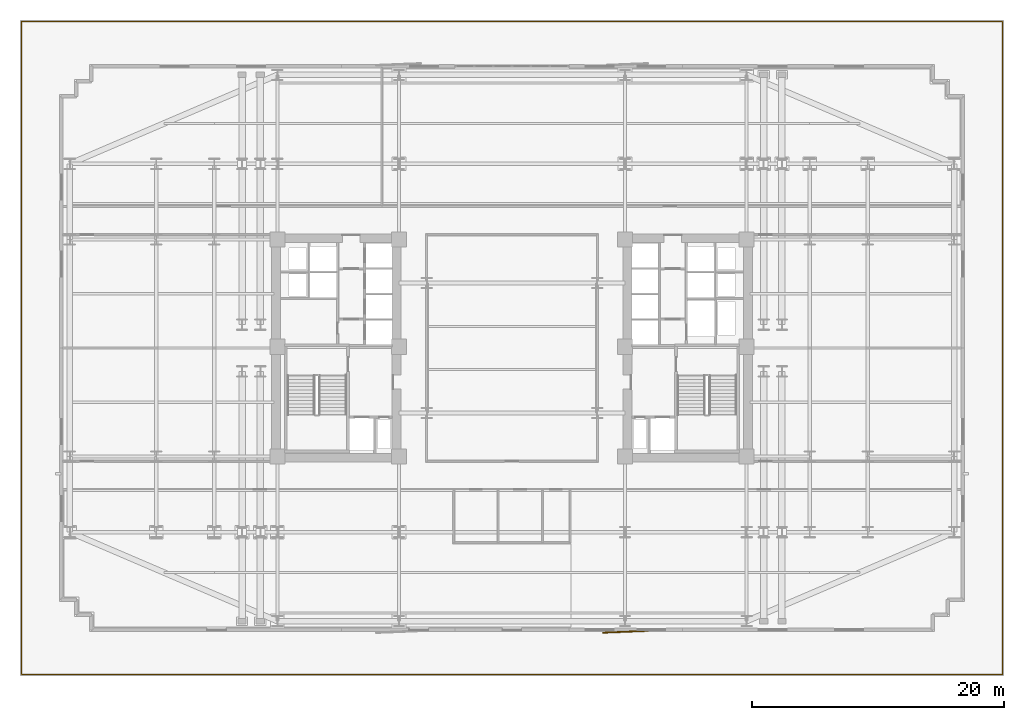
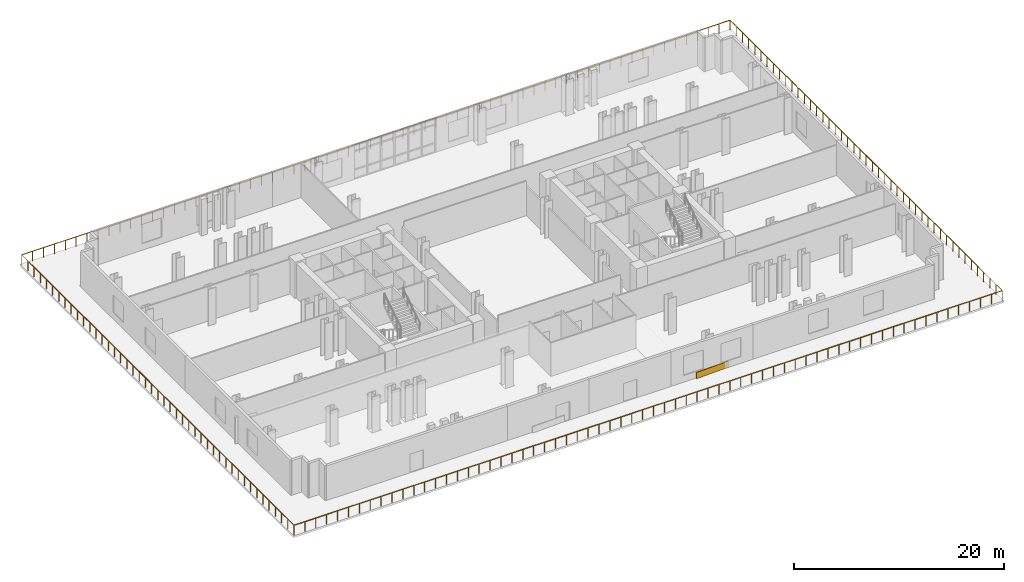
# One storey, part 12 of 14: 2 railings, 1 covering.
"""IFC4 building model written with IfcOpenShell, lengths in metres."""

from ifc_helpers import new_model, si_unit, direction, frame, origin, origin_2d, place, context, subcontext, project, spatial, rectangle, circle, extrude, material, layer, layer_set, type_object, element, save


model = new_model("IFC4")

# Units and contexts
model_context = context("Model", 3, precision=1e-05, world=origin(), true_north=direction((0.0, 1.0)))
body_context = subcontext(model_context, "Body", "Model", "MODEL_VIEW")
ifc_project = project(units=[si_unit("LENGTHUNIT", "METRE"), si_unit("AREAUNIT", "SQUARE_METRE"), si_unit("VOLUMEUNIT", "CUBIC_METRE"), si_unit("PLANEANGLEUNIT", "RADIAN"), si_unit("MASSUNIT", "GRAM", prefix="KILO")], contexts=[model_context])

# Site, building, storey
site_placement = place(None, origin())
site = spatial("IfcSite", under=ifc_project, at=site_placement, CompositionType="ELEMENT")
building_placement = place(site_placement, origin())
building = spatial("IfcBuilding", under=site, at=building_placement, Name="Velakula Bourse", CompositionType="ELEMENT")
storey_placement = place(building_placement, frame((0.0, 0.0, 27.0)))
storey = spatial("IfcBuildingStorey", under=building, at=storey_placement, Name="L06", CompositionType="ELEMENT", Elevation=27.0)

# Covering
ifc_material_1 = material(Name="Red kilned clay facing brick masonry", Category="masonry")
ifc_layer = layer(ifc_material_1, 0.090087890625, Name="Red kilned clay facing brick masonry", Category="masonry")
ifc_layer_set = layer_set([ifc_layer], Name="Red kilned clay facing brick masonry")
covering_type = type_object("IfcCoveringType", Name="COV-BRK-FOLD-90", PredefinedType="CLADDING", material=ifc_layer_set)
covering_placement = place(storey_placement, frame((9.0, -22.489990234375, 0.0), z_axis=(0.0, 0.0, 1.0), x_axis=(0.999158993058, 0.041003738744, 0.0)))
element("IfcCovering", 1, at=covering_placement, inside=storey, type_object=covering_type, Name="L06 Folded Brick Facade Cladding Panel S-B4", PredefinedType="CLADDING", context=body_context, shape_type="SweptSolid", body=[
    extrude(rectangle(XDim=3.60009765625, YDim=0.090087890625, at=origin_2d()), origin(), (0.0, 0.0, 1.0), 0.719970703125),
])

# Railings
ifc_material_2 = material(Name="Anodised bronze architectural aluminium", Category="aluminium")
railing_type = type_object("IfcRailingType", Name="RLG-TERR-1150", PredefinedType="BALUSTRADE", material=ifc_material_2)
railing_1_placement = place(storey_placement, frame((-38.8798828125, 25.8798828125, 0.0)))
element("IfcRailing", 2, at=railing_1_placement, inside=storey, type_object=railing_type, Name="L06 Sky-Garden Perimeter Balustrade 1 1", PredefinedType="BALUSTRADE", context=body_context, shape_type="SweptSolid", body=[
    extrude(circle(Radius=0.02392578125, at=origin_2d()), frame((0.0, 0.0, 1.1259765625), z_axis=(1.0, 0.0, 0.0), x_axis=(0.0, 1.0, 0.0)), (0.0, 0.0, 1.0), 77.759765625),
    extrude(circle(Radius=0.02392578125, at=origin_2d()), frame((77.759765625, 0.0, 1.1259765625), z_axis=(0.0, -1.0, 0.0), x_axis=(1.0, 0.0, 0.0)), (0.0, 0.0, 1.0), 51.759765625),
    extrude(circle(Radius=0.02099609375, at=origin_2d()), origin(), (0.0, 0.0, 1.0), 1.101806640625),
    extrude(circle(Radius=0.02099609375, at=origin_2d()), frame((1.1962890625, 0.0, 0.0)), (0.0, 0.0, 1.0), 1.101806640625),
    extrude(circle(Radius=0.02099609375, at=origin_2d()), frame((2.392578125, 0.0, 0.0)), (0.0, 0.0, 1.0), 1.101806640625),
    extrude(circle(Radius=0.02099609375, at=origin_2d()), frame((3.5888671875, 0.0, 0.0)), (0.0, 0.0, 1.0), 1.101806640625),
    extrude(circle(Radius=0.02099609375, at=origin_2d()), frame((4.78515625, 0.0, 0.0)), (0.0, 0.0, 1.0), 1.101806640625),
    extrude(circle(Radius=0.02099609375, at=origin_2d()), frame((5.9814453125, 0.0, 0.0)), (0.0, 0.0, 1.0), 1.101806640625),
    extrude(circle(Radius=0.02099609375, at=origin_2d()), frame((7.177734375, 0.0, 0.0)), (0.0, 0.0, 1.0), 1.101806640625),
    extrude(circle(Radius=0.02099609375, at=origin_2d()), frame((8.3740234375, 0.0, 0.0)), (0.0, 0.0, 1.0), 1.101806640625),
    extrude(circle(Radius=0.02099609375, at=origin_2d()), frame((9.5703125, 0.0, 0.0)), (0.0, 0.0, 1.0), 1.101806640625),
    extrude(circle(Radius=0.02099609375, at=origin_2d()), frame((10.766845703125, 0.0, 0.0)), (0.0, 0.0, 1.0), 1.101806640625),
    extrude(circle(Radius=0.02099609375, at=origin_2d()), frame((11.963134765625, 0.0, 0.0)), (0.0, 0.0, 1.0), 1.101806640625),
    extrude(circle(Radius=0.02099609375, at=origin_2d()), frame((13.159423828125, 0.0, 0.0)), (0.0, 0.0, 1.0), 1.101806640625),
    extrude(circle(Radius=0.02099609375, at=origin_2d()), frame((14.355712890625, 0.0, 0.0)), (0.0, 0.0, 1.0), 1.101806640625),
    extrude(circle(Radius=0.02099609375, at=origin_2d()), frame((15.552001953125, 0.0, 0.0)), (0.0, 0.0, 1.0), 1.101806640625),
    extrude(circle(Radius=0.02099609375, at=origin_2d()), frame((16.748291015625, 0.0, 0.0)), (0.0, 0.0, 1.0), 1.101806640625),
    extrude(circle(Radius=0.02099609375, at=origin_2d()), frame((17.944580078125, 0.0, 0.0)), (0.0, 0.0, 1.0), 1.101806640625),
    extrude(circle(Radius=0.02099609375, at=origin_2d()), frame((19.140869140625, 0.0, 0.0)), (0.0, 0.0, 1.0), 1.101806640625),
    extrude(circle(Radius=0.02099609375, at=origin_2d()), frame((20.337158203125, 0.0, 0.0)), (0.0, 0.0, 1.0), 1.101806640625),
    extrude(circle(Radius=0.02099609375, at=origin_2d()), frame((21.533447265625, 0.0, 0.0)), (0.0, 0.0, 1.0), 1.101806640625),
    extrude(circle(Radius=0.02099609375, at=origin_2d()), frame((22.729736328125, 0.0, 0.0)), (0.0, 0.0, 1.0), 1.101806640625),
    extrude(circle(Radius=0.02099609375, at=origin_2d()), frame((23.926025390625, 0.0, 0.0)), (0.0, 0.0, 1.0), 1.101806640625),
    extrude(circle(Radius=0.02099609375, at=origin_2d()), frame((25.122314453125, 0.0, 0.0)), (0.0, 0.0, 1.0), 1.101806640625),
    extrude(circle(Radius=0.02099609375, at=origin_2d()), frame((26.318603515625, 0.0, 0.0)), (0.0, 0.0, 1.0), 1.101806640625),
    extrude(circle(Radius=0.02099609375, at=origin_2d()), frame((27.514892578125, 0.0, 0.0)), (0.0, 0.0, 1.0), 1.101806640625),
    extrude(circle(Radius=0.02099609375, at=origin_2d()), frame((28.711181640625, 0.0, 0.0)), (0.0, 0.0, 1.0), 1.101806640625),
    extrude(circle(Radius=0.02099609375, at=origin_2d()), frame((29.90771484375, 0.0, 0.0)), (0.0, 0.0, 1.0), 1.101806640625),
    extrude(circle(Radius=0.02099609375, at=origin_2d()), frame((31.10400390625, 0.0, 0.0)), (0.0, 0.0, 1.0), 1.101806640625),
    extrude(circle(Radius=0.02099609375, at=origin_2d()), frame((32.30029296875, 0.0, 0.0)), (0.0, 0.0, 1.0), 1.101806640625),
    extrude(circle(Radius=0.02099609375, at=origin_2d()), frame((33.49658203125, 0.0, 0.0)), (0.0, 0.0, 1.0), 1.101806640625),
    extrude(circle(Radius=0.02099609375, at=origin_2d()), frame((34.69287109375, 0.0, 0.0)), (0.0, 0.0, 1.0), 1.101806640625),
    extrude(circle(Radius=0.02099609375, at=origin_2d()), frame((35.88916015625, 0.0, 0.0)), (0.0, 0.0, 1.0), 1.101806640625),
    extrude(circle(Radius=0.02099609375, at=origin_2d()), frame((37.08544921875, 0.0, 0.0)), (0.0, 0.0, 1.0), 1.101806640625),
    extrude(circle(Radius=0.02099609375, at=origin_2d()), frame((38.28173828125, 0.0, 0.0)), (0.0, 0.0, 1.0), 1.101806640625),
    extrude(circle(Radius=0.02099609375, at=origin_2d()), frame((39.47802734375, 0.0, 0.0)), (0.0, 0.0, 1.0), 1.101806640625),
    extrude(circle(Radius=0.02099609375, at=origin_2d()), frame((40.67431640625, 0.0, 0.0)), (0.0, 0.0, 1.0), 1.101806640625),
    extrude(circle(Radius=0.02099609375, at=origin_2d()), frame((41.87060546875, 0.0, 0.0)), (0.0, 0.0, 1.0), 1.101806640625),
    extrude(circle(Radius=0.02099609375, at=origin_2d()), frame((43.06689453125, 0.0, 0.0)), (0.0, 0.0, 1.0), 1.101806640625),
    extrude(circle(Radius=0.02099609375, at=origin_2d()), frame((44.26318359375, 0.0, 0.0)), (0.0, 0.0, 1.0), 1.101806640625),
    extrude(circle(Radius=0.02099609375, at=origin_2d()), frame((45.45947265625, 0.0, 0.0)), (0.0, 0.0, 1.0), 1.101806640625),
    extrude(circle(Radius=0.02099609375, at=origin_2d()), frame((46.65576171875, 0.0, 0.0)), (0.0, 0.0, 1.0), 1.101806640625),
    extrude(circle(Radius=0.02099609375, at=origin_2d()), frame((47.85205078125, 0.0, 0.0)), (0.0, 0.0, 1.0), 1.101806640625),
    extrude(circle(Radius=0.02099609375, at=origin_2d()), frame((49.048583984375, 0.0, 0.0)), (0.0, 0.0, 1.0), 1.101806640625),
    extrude(circle(Radius=0.02099609375, at=origin_2d()), frame((50.244873046875, 0.0, 0.0)), (0.0, 0.0, 1.0), 1.101806640625),
    extrude(circle(Radius=0.02099609375, at=origin_2d()), frame((51.441162109375, 0.0, 0.0)), (0.0, 0.0, 1.0), 1.101806640625),
    extrude(circle(Radius=0.02099609375, at=origin_2d()), frame((52.637451171875, 0.0, 0.0)), (0.0, 0.0, 1.0), 1.101806640625),
    extrude(circle(Radius=0.02099609375, at=origin_2d()), frame((53.833740234375, 0.0, 0.0)), (0.0, 0.0, 1.0), 1.101806640625),
    extrude(circle(Radius=0.02099609375, at=origin_2d()), frame((55.030029296875, 0.0, 0.0)), (0.0, 0.0, 1.0), 1.101806640625),
    extrude(circle(Radius=0.02099609375, at=origin_2d()), frame((56.226318359375, 0.0, 0.0)), (0.0, 0.0, 1.0), 1.101806640625),
    extrude(circle(Radius=0.02099609375, at=origin_2d()), frame((57.422607421875, 0.0, 0.0)), (0.0, 0.0, 1.0), 1.101806640625),
    extrude(circle(Radius=0.02099609375, at=origin_2d()), frame((58.618896484375, 0.0, 0.0)), (0.0, 0.0, 1.0), 1.101806640625),
    extrude(circle(Radius=0.02099609375, at=origin_2d()), frame((59.815185546875, 0.0, 0.0)), (0.0, 0.0, 1.0), 1.101806640625),
    extrude(circle(Radius=0.02099609375, at=origin_2d()), frame((61.011474609375, 0.0, 0.0)), (0.0, 0.0, 1.0), 1.101806640625),
    extrude(circle(Radius=0.02099609375, at=origin_2d()), frame((62.207763671875, 0.0, 0.0)), (0.0, 0.0, 1.0), 1.101806640625),
    extrude(circle(Radius=0.02099609375, at=origin_2d()), frame((63.404052734375, 0.0, 0.0)), (0.0, 0.0, 1.0), 1.101806640625),
    extrude(circle(Radius=0.02099609375, at=origin_2d()), frame((64.600341796875, 0.0, 0.0)), (0.0, 0.0, 1.0), 1.101806640625),
    extrude(circle(Radius=0.02099609375, at=origin_2d()), frame((65.796630859375, 0.0, 0.0)), (0.0, 0.0, 1.0), 1.101806640625),
    extrude(circle(Radius=0.02099609375, at=origin_2d()), frame((66.992919921875, 0.0, 0.0)), (0.0, 0.0, 1.0), 1.101806640625),
    extrude(circle(Radius=0.02099609375, at=origin_2d()), frame((68.189453125, 0.0, 0.0)), (0.0, 0.0, 1.0), 1.101806640625),
    extrude(circle(Radius=0.02099609375, at=origin_2d()), frame((69.3857421875, 0.0, 0.0)), (0.0, 0.0, 1.0), 1.101806640625),
    extrude(circle(Radius=0.02099609375, at=origin_2d()), frame((70.58203125, 0.0, 0.0)), (0.0, 0.0, 1.0), 1.101806640625),
    extrude(circle(Radius=0.02099609375, at=origin_2d()), frame((71.7783203125, 0.0, 0.0)), (0.0, 0.0, 1.0), 1.101806640625),
    extrude(circle(Radius=0.02099609375, at=origin_2d()), frame((72.974609375, 0.0, 0.0)), (0.0, 0.0, 1.0), 1.101806640625),
    extrude(circle(Radius=0.02099609375, at=origin_2d()), frame((74.1708984375, 0.0, 0.0)), (0.0, 0.0, 1.0), 1.101806640625),
    extrude(circle(Radius=0.02099609375, at=origin_2d()), frame((75.3671875, 0.0, 0.0)), (0.0, 0.0, 1.0), 1.101806640625),
    extrude(circle(Radius=0.02099609375, at=origin_2d()), frame((76.5634765625, 0.0, 0.0)), (0.0, 0.0, 1.0), 1.101806640625),
    extrude(circle(Radius=0.02099609375, at=origin_2d()), frame((77.759765625, 0.0, 0.0)), (0.0, 0.0, 1.0), 1.101806640625),
    extrude(circle(Radius=0.02099609375, at=origin_2d()), frame((77.759765625, -1.17626953125, 0.0)), (0.0, 0.0, 1.0), 1.101806640625),
    extrude(circle(Radius=0.02099609375, at=origin_2d()), frame((77.759765625, -2.352783203125, 0.0)), (0.0, 0.0, 1.0), 1.101806640625),
    extrude(circle(Radius=0.02099609375, at=origin_2d()), frame((77.759765625, -3.529052734375, 0.0)), (0.0, 0.0, 1.0), 1.101806640625),
    extrude(circle(Radius=0.02099609375, at=origin_2d()), frame((77.759765625, -4.705322265625, 0.0)), (0.0, 0.0, 1.0), 1.101806640625),
    extrude(circle(Radius=0.02099609375, at=origin_2d()), frame((77.759765625, -5.8818359375, 0.0)), (0.0, 0.0, 1.0), 1.101806640625),
    extrude(circle(Radius=0.02099609375, at=origin_2d()), frame((77.759765625, -7.05810546875, 0.0)), (0.0, 0.0, 1.0), 1.101806640625),
    extrude(circle(Radius=0.02099609375, at=origin_2d()), frame((77.759765625, -8.234619140625, 0.0)), (0.0, 0.0, 1.0), 1.101806640625),
    extrude(circle(Radius=0.02099609375, at=origin_2d()), frame((77.759765625, -9.410888671875, 0.0)), (0.0, 0.0, 1.0), 1.101806640625),
    extrude(circle(Radius=0.02099609375, at=origin_2d()), frame((77.759765625, -10.587158203125, 0.0)), (0.0, 0.0, 1.0), 1.101806640625),
    extrude(circle(Radius=0.02099609375, at=origin_2d()), frame((77.759765625, -11.763671875, 0.0)), (0.0, 0.0, 1.0), 1.101806640625),
    extrude(circle(Radius=0.02099609375, at=origin_2d()), frame((77.759765625, -12.93994140625, 0.0)), (0.0, 0.0, 1.0), 1.101806640625),
    extrude(circle(Radius=0.02099609375, at=origin_2d()), frame((77.759765625, -14.1162109375, 0.0)), (0.0, 0.0, 1.0), 1.101806640625),
    extrude(circle(Radius=0.02099609375, at=origin_2d()), frame((77.759765625, -15.292724609375, 0.0)), (0.0, 0.0, 1.0), 1.101806640625),
    extrude(circle(Radius=0.02099609375, at=origin_2d()), frame((77.759765625, -16.468994140625, 0.0)), (0.0, 0.0, 1.0), 1.101806640625),
    extrude(circle(Radius=0.02099609375, at=origin_2d()), frame((77.759765625, -17.645263671875, 0.0)), (0.0, 0.0, 1.0), 1.101806640625),
    extrude(circle(Radius=0.02099609375, at=origin_2d()), frame((77.759765625, -18.82177734375, 0.0)), (0.0, 0.0, 1.0), 1.101806640625),
    extrude(circle(Radius=0.02099609375, at=origin_2d()), frame((77.759765625, -19.998046875, 0.0)), (0.0, 0.0, 1.0), 1.101806640625),
    extrude(circle(Radius=0.02099609375, at=origin_2d()), frame((77.759765625, -21.174560546875, 0.0)), (0.0, 0.0, 1.0), 1.101806640625),
    extrude(circle(Radius=0.02099609375, at=origin_2d()), frame((77.759765625, -22.350830078125, 0.0)), (0.0, 0.0, 1.0), 1.101806640625),
    extrude(circle(Radius=0.02099609375, at=origin_2d()), frame((77.759765625, -23.527099609375, 0.0)), (0.0, 0.0, 1.0), 1.101806640625),
    extrude(circle(Radius=0.02099609375, at=origin_2d()), frame((77.759765625, -24.70361328125, 0.0)), (0.0, 0.0, 1.0), 1.101806640625),
    extrude(circle(Radius=0.02099609375, at=origin_2d()), frame((77.759765625, -25.8798828125, 0.0)), (0.0, 0.0, 1.0), 1.101806640625),
    extrude(circle(Radius=0.02099609375, at=origin_2d()), frame((77.759765625, -27.05615234375, 0.0)), (0.0, 0.0, 1.0), 1.101806640625),
    extrude(circle(Radius=0.02099609375, at=origin_2d()), frame((77.759765625, -28.232666015625, 0.0)), (0.0, 0.0, 1.0), 1.101806640625),
    extrude(circle(Radius=0.02099609375, at=origin_2d()), frame((77.759765625, -29.408935546875, 0.0)), (0.0, 0.0, 1.0), 1.101806640625),
    extrude(circle(Radius=0.02099609375, at=origin_2d()), frame((77.759765625, -30.585205078125, 0.0)), (0.0, 0.0, 1.0), 1.101806640625),
    extrude(circle(Radius=0.02099609375, at=origin_2d()), frame((77.759765625, -31.76171875, 0.0)), (0.0, 0.0, 1.0), 1.101806640625),
    extrude(circle(Radius=0.02099609375, at=origin_2d()), frame((77.759765625, -32.93798828125, 0.0)), (0.0, 0.0, 1.0), 1.101806640625),
    extrude(circle(Radius=0.02099609375, at=origin_2d()), frame((77.759765625, -34.114501953125, 0.0)), (0.0, 0.0, 1.0), 1.101806640625),
    extrude(circle(Radius=0.02099609375, at=origin_2d()), frame((77.759765625, -35.290771484375, 0.0)), (0.0, 0.0, 1.0), 1.101806640625),
    extrude(circle(Radius=0.02099609375, at=origin_2d()), frame((77.759765625, -36.467041015625, 0.0)), (0.0, 0.0, 1.0), 1.101806640625),
    extrude(circle(Radius=0.02099609375, at=origin_2d()), frame((77.759765625, -37.6435546875, 0.0)), (0.0, 0.0, 1.0), 1.101806640625),
    extrude(circle(Radius=0.02099609375, at=origin_2d()), frame((77.759765625, -38.81982421875, 0.0)), (0.0, 0.0, 1.0), 1.101806640625),
    extrude(circle(Radius=0.02099609375, at=origin_2d()), frame((77.759765625, -39.99609375, 0.0)), (0.0, 0.0, 1.0), 1.101806640625),
    extrude(circle(Radius=0.02099609375, at=origin_2d()), frame((77.759765625, -41.172607421875, 0.0)), (0.0, 0.0, 1.0), 1.101806640625),
    extrude(circle(Radius=0.02099609375, at=origin_2d()), frame((77.759765625, -42.348876953125, 0.0)), (0.0, 0.0, 1.0), 1.101806640625),
    extrude(circle(Radius=0.02099609375, at=origin_2d()), frame((77.759765625, -43.525146484375, 0.0)), (0.0, 0.0, 1.0), 1.101806640625),
    extrude(circle(Radius=0.02099609375, at=origin_2d()), frame((77.759765625, -44.70166015625, 0.0)), (0.0, 0.0, 1.0), 1.101806640625),
    extrude(circle(Radius=0.02099609375, at=origin_2d()), frame((77.759765625, -45.8779296875, 0.0)), (0.0, 0.0, 1.0), 1.101806640625),
    extrude(circle(Radius=0.02099609375, at=origin_2d()), frame((77.759765625, -47.054443359375, 0.0)), (0.0, 0.0, 1.0), 1.101806640625),
    extrude(circle(Radius=0.02099609375, at=origin_2d()), frame((77.759765625, -48.230712890625, 0.0)), (0.0, 0.0, 1.0), 1.101806640625),
    extrude(circle(Radius=0.02099609375, at=origin_2d()), frame((77.759765625, -49.406982421875, 0.0)), (0.0, 0.0, 1.0), 1.101806640625),
    extrude(circle(Radius=0.02099609375, at=origin_2d()), frame((77.759765625, -50.58349609375, 0.0)), (0.0, 0.0, 1.0), 1.101806640625),
    extrude(circle(Radius=0.02099609375, at=origin_2d()), frame((77.759765625, -51.759765625, 0.0)), (0.0, 0.0, 1.0), 1.101806640625),
])
railing_2_placement = place(storey_placement, frame((38.8798828125, -25.8798828125, 0.0)))
element("IfcRailing", 3, at=railing_2_placement, inside=storey, type_object=railing_type, Name="L06 Sky-Garden Perimeter Balustrade 1 2", PredefinedType="BALUSTRADE", context=body_context, shape_type="SweptSolid", body=[
    extrude(circle(Radius=0.02392578125, at=origin_2d()), frame((0.0, 0.0, 1.1259765625), z_axis=(-1.0, 0.0, 0.0), x_axis=(0.0, -1.0, 0.0)), (0.0, 0.0, 1.0), 77.759765625),
    extrude(circle(Radius=0.02392578125, at=origin_2d()), frame((-77.759765625, 0.0, 1.1259765625), z_axis=(0.0, 1.0, 0.0), x_axis=(-1.0, 0.0, 0.0)), (0.0, 0.0, 1.0), 51.759765625),
    extrude(circle(Radius=0.02099609375, at=origin_2d()), origin(), (0.0, 0.0, 1.0), 1.101806640625),
    extrude(circle(Radius=0.02099609375, at=origin_2d()), frame((-1.1962890625, 0.0, 0.0)), (0.0, 0.0, 1.0), 1.101806640625),
    extrude(circle(Radius=0.02099609375, at=origin_2d()), frame((-2.392578125, 0.0, 0.0)), (0.0, 0.0, 1.0), 1.101806640625),
    extrude(circle(Radius=0.02099609375, at=origin_2d()), frame((-3.5888671875, 0.0, 0.0)), (0.0, 0.0, 1.0), 1.101806640625),
    extrude(circle(Radius=0.02099609375, at=origin_2d()), frame((-4.78515625, 0.0, 0.0)), (0.0, 0.0, 1.0), 1.101806640625),
    extrude(circle(Radius=0.02099609375, at=origin_2d()), frame((-5.9814453125, 0.0, 0.0)), (0.0, 0.0, 1.0), 1.101806640625),
    extrude(circle(Radius=0.02099609375, at=origin_2d()), frame((-7.177734375, 0.0, 0.0)), (0.0, 0.0, 1.0), 1.101806640625),
    extrude(circle(Radius=0.02099609375, at=origin_2d()), frame((-8.3740234375, 0.0, 0.0)), (0.0, 0.0, 1.0), 1.101806640625),
    extrude(circle(Radius=0.02099609375, at=origin_2d()), frame((-9.5703125, 0.0, 0.0)), (0.0, 0.0, 1.0), 1.101806640625),
    extrude(circle(Radius=0.02099609375, at=origin_2d()), frame((-10.766845703125, 0.0, 0.0)), (0.0, 0.0, 1.0), 1.101806640625),
    extrude(circle(Radius=0.02099609375, at=origin_2d()), frame((-11.963134765625, 0.0, 0.0)), (0.0, 0.0, 1.0), 1.101806640625),
    extrude(circle(Radius=0.02099609375, at=origin_2d()), frame((-13.159423828125, 0.0, 0.0)), (0.0, 0.0, 1.0), 1.101806640625),
    extrude(circle(Radius=0.02099609375, at=origin_2d()), frame((-14.355712890625, 0.0, 0.0)), (0.0, 0.0, 1.0), 1.101806640625),
    extrude(circle(Radius=0.02099609375, at=origin_2d()), frame((-15.552001953125, 0.0, 0.0)), (0.0, 0.0, 1.0), 1.101806640625),
    extrude(circle(Radius=0.02099609375, at=origin_2d()), frame((-16.748291015625, 0.0, 0.0)), (0.0, 0.0, 1.0), 1.101806640625),
    extrude(circle(Radius=0.02099609375, at=origin_2d()), frame((-17.944580078125, 0.0, 0.0)), (0.0, 0.0, 1.0), 1.101806640625),
    extrude(circle(Radius=0.02099609375, at=origin_2d()), frame((-19.140869140625, 0.0, 0.0)), (0.0, 0.0, 1.0), 1.101806640625),
    extrude(circle(Radius=0.02099609375, at=origin_2d()), frame((-20.337158203125, 0.0, 0.0)), (0.0, 0.0, 1.0), 1.101806640625),
    extrude(circle(Radius=0.02099609375, at=origin_2d()), frame((-21.533447265625, 0.0, 0.0)), (0.0, 0.0, 1.0), 1.101806640625),
    extrude(circle(Radius=0.02099609375, at=origin_2d()), frame((-22.729736328125, 0.0, 0.0)), (0.0, 0.0, 1.0), 1.101806640625),
    extrude(circle(Radius=0.02099609375, at=origin_2d()), frame((-23.926025390625, 0.0, 0.0)), (0.0, 0.0, 1.0), 1.101806640625),
    extrude(circle(Radius=0.02099609375, at=origin_2d()), frame((-25.122314453125, 0.0, 0.0)), (0.0, 0.0, 1.0), 1.101806640625),
    extrude(circle(Radius=0.02099609375, at=origin_2d()), frame((-26.318603515625, 0.0, 0.0)), (0.0, 0.0, 1.0), 1.101806640625),
    extrude(circle(Radius=0.02099609375, at=origin_2d()), frame((-27.514892578125, 0.0, 0.0)), (0.0, 0.0, 1.0), 1.101806640625),
    extrude(circle(Radius=0.02099609375, at=origin_2d()), frame((-28.711181640625, 0.0, 0.0)), (0.0, 0.0, 1.0), 1.101806640625),
    extrude(circle(Radius=0.02099609375, at=origin_2d()), frame((-29.90771484375, 0.0, 0.0)), (0.0, 0.0, 1.0), 1.101806640625),
    extrude(circle(Radius=0.02099609375, at=origin_2d()), frame((-31.10400390625, 0.0, 0.0)), (0.0, 0.0, 1.0), 1.101806640625),
    extrude(circle(Radius=0.02099609375, at=origin_2d()), frame((-32.30029296875, 0.0, 0.0)), (0.0, 0.0, 1.0), 1.101806640625),
    extrude(circle(Radius=0.02099609375, at=origin_2d()), frame((-33.49658203125, 0.0, 0.0)), (0.0, 0.0, 1.0), 1.101806640625),
    extrude(circle(Radius=0.02099609375, at=origin_2d()), frame((-34.69287109375, 0.0, 0.0)), (0.0, 0.0, 1.0), 1.101806640625),
    extrude(circle(Radius=0.02099609375, at=origin_2d()), frame((-35.88916015625, 0.0, 0.0)), (0.0, 0.0, 1.0), 1.101806640625),
    extrude(circle(Radius=0.02099609375, at=origin_2d()), frame((-37.08544921875, 0.0, 0.0)), (0.0, 0.0, 1.0), 1.101806640625),
    extrude(circle(Radius=0.02099609375, at=origin_2d()), frame((-38.28173828125, 0.0, 0.0)), (0.0, 0.0, 1.0), 1.101806640625),
    extrude(circle(Radius=0.02099609375, at=origin_2d()), frame((-39.47802734375, 0.0, 0.0)), (0.0, 0.0, 1.0), 1.101806640625),
    extrude(circle(Radius=0.02099609375, at=origin_2d()), frame((-40.67431640625, 0.0, 0.0)), (0.0, 0.0, 1.0), 1.101806640625),
    extrude(circle(Radius=0.02099609375, at=origin_2d()), frame((-41.87060546875, 0.0, 0.0)), (0.0, 0.0, 1.0), 1.101806640625),
    extrude(circle(Radius=0.02099609375, at=origin_2d()), frame((-43.06689453125, 0.0, 0.0)), (0.0, 0.0, 1.0), 1.101806640625),
    extrude(circle(Radius=0.02099609375, at=origin_2d()), frame((-44.26318359375, 0.0, 0.0)), (0.0, 0.0, 1.0), 1.101806640625),
    extrude(circle(Radius=0.02099609375, at=origin_2d()), frame((-45.45947265625, 0.0, 0.0)), (0.0, 0.0, 1.0), 1.101806640625),
    extrude(circle(Radius=0.02099609375, at=origin_2d()), frame((-46.65576171875, 0.0, 0.0)), (0.0, 0.0, 1.0), 1.101806640625),
    extrude(circle(Radius=0.02099609375, at=origin_2d()), frame((-47.85205078125, 0.0, 0.0)), (0.0, 0.0, 1.0), 1.101806640625),
    extrude(circle(Radius=0.02099609375, at=origin_2d()), frame((-49.048583984375, 0.0, 0.0)), (0.0, 0.0, 1.0), 1.101806640625),
    extrude(circle(Radius=0.02099609375, at=origin_2d()), frame((-50.244873046875, 0.0, 0.0)), (0.0, 0.0, 1.0), 1.101806640625),
    extrude(circle(Radius=0.02099609375, at=origin_2d()), frame((-51.441162109375, 0.0, 0.0)), (0.0, 0.0, 1.0), 1.101806640625),
    extrude(circle(Radius=0.02099609375, at=origin_2d()), frame((-52.637451171875, 0.0, 0.0)), (0.0, 0.0, 1.0), 1.101806640625),
    extrude(circle(Radius=0.02099609375, at=origin_2d()), frame((-53.833740234375, 0.0, 0.0)), (0.0, 0.0, 1.0), 1.101806640625),
    extrude(circle(Radius=0.02099609375, at=origin_2d()), frame((-55.030029296875, 0.0, 0.0)), (0.0, 0.0, 1.0), 1.101806640625),
    extrude(circle(Radius=0.02099609375, at=origin_2d()), frame((-56.226318359375, 0.0, 0.0)), (0.0, 0.0, 1.0), 1.101806640625),
    extrude(circle(Radius=0.02099609375, at=origin_2d()), frame((-57.422607421875, 0.0, 0.0)), (0.0, 0.0, 1.0), 1.101806640625),
    extrude(circle(Radius=0.02099609375, at=origin_2d()), frame((-58.618896484375, 0.0, 0.0)), (0.0, 0.0, 1.0), 1.101806640625),
    extrude(circle(Radius=0.02099609375, at=origin_2d()), frame((-59.815185546875, 0.0, 0.0)), (0.0, 0.0, 1.0), 1.101806640625),
    extrude(circle(Radius=0.02099609375, at=origin_2d()), frame((-61.011474609375, 0.0, 0.0)), (0.0, 0.0, 1.0), 1.101806640625),
    extrude(circle(Radius=0.02099609375, at=origin_2d()), frame((-62.207763671875, 0.0, 0.0)), (0.0, 0.0, 1.0), 1.101806640625),
    extrude(circle(Radius=0.02099609375, at=origin_2d()), frame((-63.404052734375, 0.0, 0.0)), (0.0, 0.0, 1.0), 1.101806640625),
    extrude(circle(Radius=0.02099609375, at=origin_2d()), frame((-64.600341796875, 0.0, 0.0)), (0.0, 0.0, 1.0), 1.101806640625),
    extrude(circle(Radius=0.02099609375, at=origin_2d()), frame((-65.796630859375, 0.0, 0.0)), (0.0, 0.0, 1.0), 1.101806640625),
    extrude(circle(Radius=0.02099609375, at=origin_2d()), frame((-66.992919921875, 0.0, 0.0)), (0.0, 0.0, 1.0), 1.101806640625),
    extrude(circle(Radius=0.02099609375, at=origin_2d()), frame((-68.189453125, 0.0, 0.0)), (0.0, 0.0, 1.0), 1.101806640625),
    extrude(circle(Radius=0.02099609375, at=origin_2d()), frame((-69.3857421875, 0.0, 0.0)), (0.0, 0.0, 1.0), 1.101806640625),
    extrude(circle(Radius=0.02099609375, at=origin_2d()), frame((-70.58203125, 0.0, 0.0)), (0.0, 0.0, 1.0), 1.101806640625),
    extrude(circle(Radius=0.02099609375, at=origin_2d()), frame((-71.7783203125, 0.0, 0.0)), (0.0, 0.0, 1.0), 1.101806640625),
    extrude(circle(Radius=0.02099609375, at=origin_2d()), frame((-72.974609375, 0.0, 0.0)), (0.0, 0.0, 1.0), 1.101806640625),
    extrude(circle(Radius=0.02099609375, at=origin_2d()), frame((-74.1708984375, 0.0, 0.0)), (0.0, 0.0, 1.0), 1.101806640625),
    extrude(circle(Radius=0.02099609375, at=origin_2d()), frame((-75.3671875, 0.0, 0.0)), (0.0, 0.0, 1.0), 1.101806640625),
    extrude(circle(Radius=0.02099609375, at=origin_2d()), frame((-76.5634765625, 0.0, 0.0)), (0.0, 0.0, 1.0), 1.101806640625),
    extrude(circle(Radius=0.02099609375, at=origin_2d()), frame((-77.759765625, 0.0, 0.0)), (0.0, 0.0, 1.0), 1.101806640625),
    extrude(circle(Radius=0.02099609375, at=origin_2d()), frame((-77.759765625, 1.17626953125, 0.0)), (0.0, 0.0, 1.0), 1.101806640625),
    extrude(circle(Radius=0.02099609375, at=origin_2d()), frame((-77.759765625, 2.352783203125, 0.0)), (0.0, 0.0, 1.0), 1.101806640625),
    extrude(circle(Radius=0.02099609375, at=origin_2d()), frame((-77.759765625, 3.529052734375, 0.0)), (0.0, 0.0, 1.0), 1.101806640625),
    extrude(circle(Radius=0.02099609375, at=origin_2d()), frame((-77.759765625, 4.705322265625, 0.0)), (0.0, 0.0, 1.0), 1.101806640625),
    extrude(circle(Radius=0.02099609375, at=origin_2d()), frame((-77.759765625, 5.8818359375, 0.0)), (0.0, 0.0, 1.0), 1.101806640625),
    extrude(circle(Radius=0.02099609375, at=origin_2d()), frame((-77.759765625, 7.05810546875, 0.0)), (0.0, 0.0, 1.0), 1.101806640625),
    extrude(circle(Radius=0.02099609375, at=origin_2d()), frame((-77.759765625, 8.234619140625, 0.0)), (0.0, 0.0, 1.0), 1.101806640625),
    extrude(circle(Radius=0.02099609375, at=origin_2d()), frame((-77.759765625, 9.410888671875, 0.0)), (0.0, 0.0, 1.0), 1.101806640625),
    extrude(circle(Radius=0.02099609375, at=origin_2d()), frame((-77.759765625, 10.587158203125, 0.0)), (0.0, 0.0, 1.0), 1.101806640625),
    extrude(circle(Radius=0.02099609375, at=origin_2d()), frame((-77.759765625, 11.763671875, 0.0)), (0.0, 0.0, 1.0), 1.101806640625),
    extrude(circle(Radius=0.02099609375, at=origin_2d()), frame((-77.759765625, 12.93994140625, 0.0)), (0.0, 0.0, 1.0), 1.101806640625),
    extrude(circle(Radius=0.02099609375, at=origin_2d()), frame((-77.759765625, 14.1162109375, 0.0)), (0.0, 0.0, 1.0), 1.101806640625),
    extrude(circle(Radius=0.02099609375, at=origin_2d()), frame((-77.759765625, 15.292724609375, 0.0)), (0.0, 0.0, 1.0), 1.101806640625),
    extrude(circle(Radius=0.02099609375, at=origin_2d()), frame((-77.759765625, 16.468994140625, 0.0)), (0.0, 0.0, 1.0), 1.101806640625),
    extrude(circle(Radius=0.02099609375, at=origin_2d()), frame((-77.759765625, 17.645263671875, 0.0)), (0.0, 0.0, 1.0), 1.101806640625),
    extrude(circle(Radius=0.02099609375, at=origin_2d()), frame((-77.759765625, 18.82177734375, 0.0)), (0.0, 0.0, 1.0), 1.101806640625),
    extrude(circle(Radius=0.02099609375, at=origin_2d()), frame((-77.759765625, 19.998046875, 0.0)), (0.0, 0.0, 1.0), 1.101806640625),
    extrude(circle(Radius=0.02099609375, at=origin_2d()), frame((-77.759765625, 21.174560546875, 0.0)), (0.0, 0.0, 1.0), 1.101806640625),
    extrude(circle(Radius=0.02099609375, at=origin_2d()), frame((-77.759765625, 22.350830078125, 0.0)), (0.0, 0.0, 1.0), 1.101806640625),
    extrude(circle(Radius=0.02099609375, at=origin_2d()), frame((-77.759765625, 23.527099609375, 0.0)), (0.0, 0.0, 1.0), 1.101806640625),
    extrude(circle(Radius=0.02099609375, at=origin_2d()), frame((-77.759765625, 24.70361328125, 0.0)), (0.0, 0.0, 1.0), 1.101806640625),
    extrude(circle(Radius=0.02099609375, at=origin_2d()), frame((-77.759765625, 25.8798828125, 0.0)), (0.0, 0.0, 1.0), 1.101806640625),
    extrude(circle(Radius=0.02099609375, at=origin_2d()), frame((-77.759765625, 27.05615234375, 0.0)), (0.0, 0.0, 1.0), 1.101806640625),
    extrude(circle(Radius=0.02099609375, at=origin_2d()), frame((-77.759765625, 28.232666015625, 0.0)), (0.0, 0.0, 1.0), 1.101806640625),
    extrude(circle(Radius=0.02099609375, at=origin_2d()), frame((-77.759765625, 29.408935546875, 0.0)), (0.0, 0.0, 1.0), 1.101806640625),
    extrude(circle(Radius=0.02099609375, at=origin_2d()), frame((-77.759765625, 30.585205078125, 0.0)), (0.0, 0.0, 1.0), 1.101806640625),
    extrude(circle(Radius=0.02099609375, at=origin_2d()), frame((-77.759765625, 31.76171875, 0.0)), (0.0, 0.0, 1.0), 1.101806640625),
    extrude(circle(Radius=0.02099609375, at=origin_2d()), frame((-77.759765625, 32.93798828125, 0.0)), (0.0, 0.0, 1.0), 1.101806640625),
    extrude(circle(Radius=0.02099609375, at=origin_2d()), frame((-77.759765625, 34.114501953125, 0.0)), (0.0, 0.0, 1.0), 1.101806640625),
    extrude(circle(Radius=0.02099609375, at=origin_2d()), frame((-77.759765625, 35.290771484375, 0.0)), (0.0, 0.0, 1.0), 1.101806640625),
    extrude(circle(Radius=0.02099609375, at=origin_2d()), frame((-77.759765625, 36.467041015625, 0.0)), (0.0, 0.0, 1.0), 1.101806640625),
    extrude(circle(Radius=0.02099609375, at=origin_2d()), frame((-77.759765625, 37.6435546875, 0.0)), (0.0, 0.0, 1.0), 1.101806640625),
    extrude(circle(Radius=0.02099609375, at=origin_2d()), frame((-77.759765625, 38.81982421875, 0.0)), (0.0, 0.0, 1.0), 1.101806640625),
    extrude(circle(Radius=0.02099609375, at=origin_2d()), frame((-77.759765625, 39.99609375, 0.0)), (0.0, 0.0, 1.0), 1.101806640625),
    extrude(circle(Radius=0.02099609375, at=origin_2d()), frame((-77.759765625, 41.172607421875, 0.0)), (0.0, 0.0, 1.0), 1.101806640625),
    extrude(circle(Radius=0.02099609375, at=origin_2d()), frame((-77.759765625, 42.348876953125, 0.0)), (0.0, 0.0, 1.0), 1.101806640625),
    extrude(circle(Radius=0.02099609375, at=origin_2d()), frame((-77.759765625, 43.525146484375, 0.0)), (0.0, 0.0, 1.0), 1.101806640625),
    extrude(circle(Radius=0.02099609375, at=origin_2d()), frame((-77.759765625, 44.70166015625, 0.0)), (0.0, 0.0, 1.0), 1.101806640625),
    extrude(circle(Radius=0.02099609375, at=origin_2d()), frame((-77.759765625, 45.8779296875, 0.0)), (0.0, 0.0, 1.0), 1.101806640625),
    extrude(circle(Radius=0.02099609375, at=origin_2d()), frame((-77.759765625, 47.054443359375, 0.0)), (0.0, 0.0, 1.0), 1.101806640625),
    extrude(circle(Radius=0.02099609375, at=origin_2d()), frame((-77.759765625, 48.230712890625, 0.0)), (0.0, 0.0, 1.0), 1.101806640625),
    extrude(circle(Radius=0.02099609375, at=origin_2d()), frame((-77.759765625, 49.406982421875, 0.0)), (0.0, 0.0, 1.0), 1.101806640625),
    extrude(circle(Radius=0.02099609375, at=origin_2d()), frame((-77.759765625, 50.58349609375, 0.0)), (0.0, 0.0, 1.0), 1.101806640625),
    extrude(circle(Radius=0.02099609375, at=origin_2d()), frame((-77.759765625, 51.759765625, 0.0)), (0.0, 0.0, 1.0), 1.101806640625),
])

save(model, "model.ifc")
